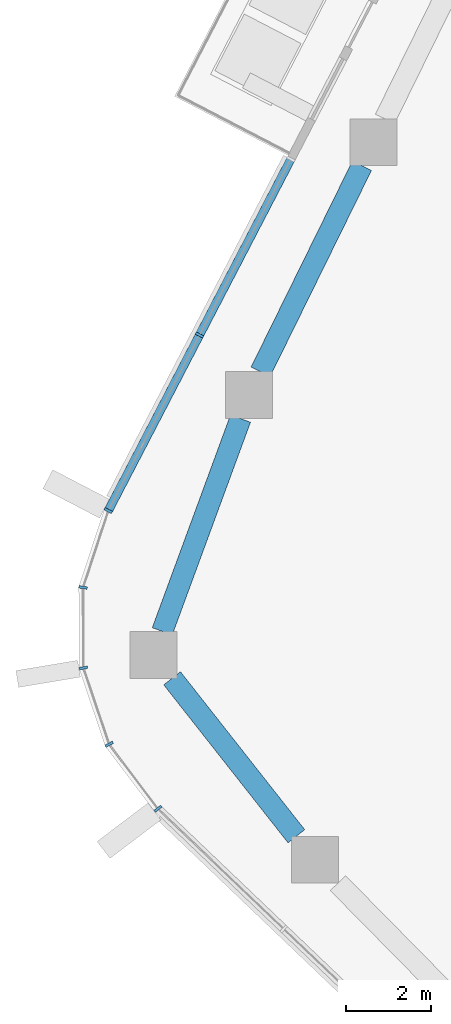
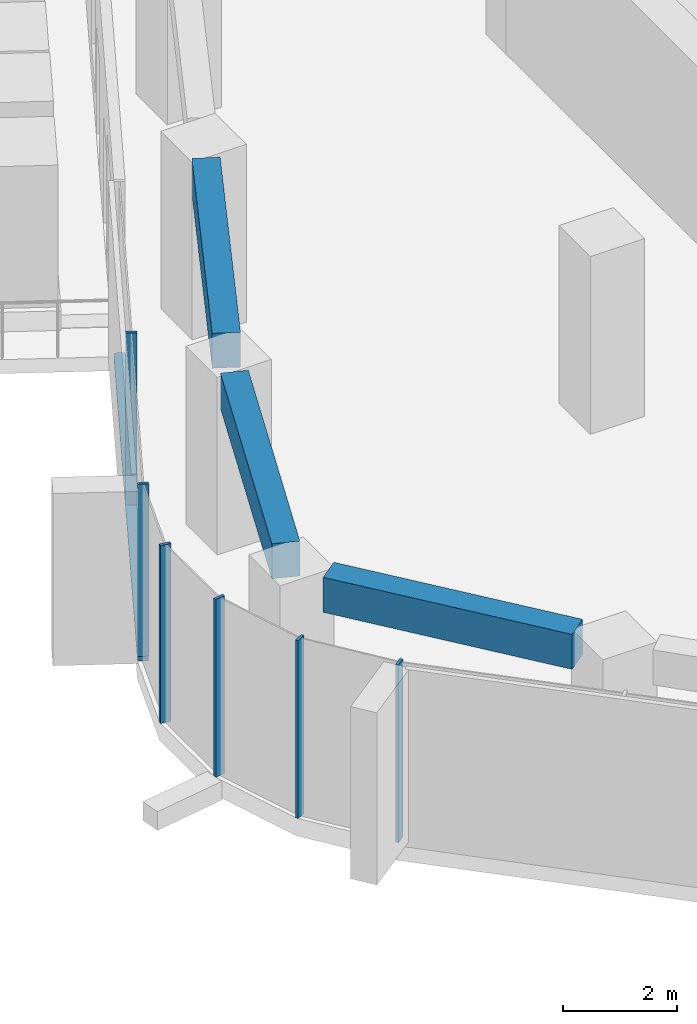
# One storey, part 4 of 21: 7 members, 3 beams, 2 elements without a shape of their own.
"""IFC4 building model written with IfcOpenShell, lengths in metres."""

from ifc_helpers import new_model, si_unit, direction, frame, origin, origin_2d, place, context, subcontext, project, spatial, rectangle, extrude, material, layer, layer_set, material_profile, profile_set, type_object, element, aggregate, save


model = new_model("IFC4")

# Units and contexts
model_context = context("Model", 3, precision=1e-05, world=origin(), true_north=direction((0.0, 1.0)))
body_context = subcontext(model_context, "Body", "Model", "MODEL_VIEW")
ifc_project = project(units=[si_unit("LENGTHUNIT", "METRE"), si_unit("AREAUNIT", "SQUARE_METRE"), si_unit("VOLUMEUNIT", "CUBIC_METRE"), si_unit("PLANEANGLEUNIT", "RADIAN"), si_unit("MASSUNIT", "GRAM", prefix="KILO")], contexts=[model_context])

# Site, building, storey
site_placement = place(None, origin())
site = spatial("IfcSite", under=ifc_project, at=site_placement, CompositionType="ELEMENT")
building_placement = place(site_placement, origin())
building = spatial("IfcBuilding", under=site, at=building_placement, Name="Dongbaek Canopy Tower", CompositionType="ELEMENT")
storey_placement = place(building_placement, frame((0.0, 0.0, 270.60009765625)))
storey = spatial("IfcBuildingStorey", under=building, at=storey_placement, Name="L57", CompositionType="ELEMENT", Elevation=270.60009765625)

# Curtain wall, members
ifc_material_1 = material(Name="Aluminium 6063-T6 pale anodised", Category="aluminium")
ifc_layer = layer(ifc_material_1, 0.199951171875)
ifc_layer_set = layer_set([ifc_layer], Name="CW-1 unitised tower curtain wall")
curtain_wall_type = type_object("IfcCurtainWallType", Name="CW-1 unitised tower curtain wall", PredefinedType="NOTDEFINED", material=ifc_layer_set)
curtain_wall_1_placement = place(storey_placement, origin())
curtain_wall_1 = element("IfcCurtainWall", 1, at=curtain_wall_1_placement, inside=storey, type_object=curtain_wall_type, Name="CW-1 curtain wall F2.1", PredefinedType="NOTDEFINED")
ifc_material_2 = material(Name="Aluminium 6063-T6 pale anodised", Category="aluminium")
ifc_material_profile_1 = material_profile(ifc_material_2, rectangle(XDim=0.199951171875, YDim=0.06005859375, at=origin_2d()), Name="CW-1 mullion 60 x 200")
ifc_profile_set_1 = profile_set([ifc_material_profile_1], Name="Aluminium 6063-T6 pale anodised")
member_type_1 = type_object("IfcMemberType", Name="CW-1 mullion 60 x 200", PredefinedType="MULLION", material=ifc_profile_set_1)
member_1_placement = place(storey_placement, frame((-26.705078125, 1.4873046875, 0.119873046875), z_axis=(0.0, 0.0, 1.0), x_axis=(-0.887462222541, 0.460880465591, 0.0)))
member_1 = element("IfcMember", 2, at=member_1_placement, type_object=member_type_1, Name="CW-1 mullion F2.1.2", PredefinedType="MULLION", context=body_context, shape_type="SweptSolid", body=[
    extrude(rectangle(XDim=0.199951171875, YDim=0.06005859375, at=origin_2d()), origin(), (0.0, 0.0, 1.0), 3.699951171875),
])
member_2_placement = place(storey_placement, frame((-28.845947265625, -2.635009765625, 0.119873046875), z_axis=(0.0, 0.0, 1.0), x_axis=(-0.887462222541, 0.460880465591, 0.0)))
member_2 = element("IfcMember", 3, at=member_2_placement, type_object=member_type_1, Name="CW-1 mullion F2.1.3", PredefinedType="MULLION", context=body_context, shape_type="SweptSolid", body=[
    extrude(rectangle(XDim=0.199951171875, YDim=0.06005859375, at=origin_2d()), origin(), (0.0, 0.0, 1.0), 3.699951171875),
])

curtain_wall_2_placement = place(storey_placement, origin())
curtain_wall_2 = element("IfcCurtainWall", 4, at=curtain_wall_2_placement, inside=storey, type_object=curtain_wall_type, Name="CW-1 curtain wall K3.1", PredefinedType="NOTDEFINED")
member_3_placement = place(storey_placement, frame((-29.439697265625, -4.4384765625, 0.0), z_axis=(0.0, 0.0, 1.0), x_axis=(-0.987688302002, 0.156434708705, 0.0)))
member_3 = element("IfcMember", 5, at=member_3_placement, type_object=member_type_1, Name="CW-1 mullion K3.1.2", PredefinedType="MULLION", context=body_context, shape_type="SweptSolid", body=[
    extrude(rectangle(XDim=0.199951171875, YDim=0.06005859375, at=origin_2d()), origin(), (0.0, 0.0, 1.0), 3.81982421875),
])
member_4_placement = place(storey_placement, frame((-29.432373046875, -6.3291015625, 0.0), z_axis=(0.0, 0.0, 1.0), x_axis=(-0.986446706915, -0.164081974685, 0.0)))
member_4 = element("IfcMember", 6, at=member_4_placement, type_object=member_type_1, Name="CW-1 mullion K3.1.3", PredefinedType="MULLION", context=body_context, shape_type="SweptSolid", body=[
    extrude(rectangle(XDim=0.199951171875, YDim=0.06005859375, at=origin_2d()), origin(), (0.0, 0.0, 1.0), 3.81982421875),
])
member_5_placement = place(storey_placement, frame((-28.8271484375, -8.120361328125, 0.0), z_axis=(0.0, 0.0, 1.0), x_axis=(-0.883864989428, -0.467742108927, 0.0)))
member_5 = element("IfcMember", 7, at=member_5_placement, type_object=member_type_1, Name="CW-1 mullion K3.1.4", PredefinedType="MULLION", context=body_context, shape_type="SweptSolid", body=[
    extrude(rectangle(XDim=0.199951171875, YDim=0.06005859375, at=origin_2d()), origin(), (0.0, 0.0, 1.0), 3.81982421875),
])
member_6_placement = place(storey_placement, frame((-27.681640625, -9.634521484375, 0.0), z_axis=(0.0, 0.0, 1.0), x_axis=(-0.797480818021, -0.603344300453, 0.0)))
member_6 = element("IfcMember", 8, at=member_6_placement, type_object=member_type_1, Name="CW-1 mullion K3.1.5", PredefinedType="MULLION", context=body_context, shape_type="SweptSolid", body=[
    extrude(rectangle(XDim=0.199951171875, YDim=0.06005859375, at=origin_2d()), origin(), (0.0, 0.0, 1.0), 3.81982421875),
])
aggregate(curtain_wall_2, [member_3, member_4, member_5, member_6])

# Member
ifc_material_3 = material(Name="Aluminium 6063-T6 pale anodised", Category="aluminium")
ifc_material_profile_2 = material_profile(ifc_material_3, rectangle(XDim=0.199951171875, YDim=0.1201171875, at=origin_2d()), Name="CW-1 transom 120 x 200")
ifc_profile_set_2 = profile_set([ifc_material_profile_2], Name="Aluminium 6063-T6 pale anodised")
member_type_2 = type_object("IfcMemberType", Name="CW-1 transom 120 x 200", PredefinedType="USERDEFINED", material=ifc_profile_set_2)
member_7_placement = place(storey_placement, frame((-24.560791015625, 5.616455078125, 0.059814453125), z_axis=(-0.460878110928, -0.88746344537, 0.0), x_axis=(0.88746344537, -0.460878110928, 0.0)))
member_7 = element("IfcMember", 9, at=member_7_placement, type_object=member_type_2, Name="CW-1 transom F2.1.1", ObjectType="TRANSOM", PredefinedType="USERDEFINED", context=body_context, shape_type="SweptSolid", body=[
    extrude(rectangle(XDim=0.199951171875, YDim=0.1201171875, at=origin_2d()), origin(), (0.0, 0.0, 1.0), 9.2978515625),
])

aggregate(curtain_wall_1, [member_1, member_2, member_7])

# Beams
ifc_material_4 = material(Name="Concrete C70", Category="concrete")
ifc_material_profile_3 = material_profile(ifc_material_4, rectangle(XDim=0.5, YDim=0.75, at=origin_2d()), Name="RC EDGE BEAM 500x750 C70")
ifc_profile_set_3 = profile_set([ifc_material_profile_3], Name="Concrete C70")
beam_type = type_object("IfcBeamType", Name="RC EDGE BEAM 500x750 C70", PredefinedType="BEAM", material=ifc_profile_set_3)
beam_1_placement = place(storey_placement, frame((-24.429931640625, -10.279052734375, 3.44482421875), z_axis=(-0.618474671525, 0.785804734449, 0.0), x_axis=(-0.785804734449, -0.618474671525, 0.0)))
element("IfcBeam", 10, at=beam_1_placement, inside=storey, type_object=beam_type, Name="EDGEBEAM:L57:07", PredefinedType="BEAM", context=body_context, shape_type="SweptSolid", body=[
    extrude(rectangle(XDim=0.5, YDim=0.75, at=origin_2d()), origin(), (0.0, 0.0, 1.0), 4.719970703125),
])
beam_2_placement = place(storey_placement, frame((-27.57958984375, -5.469970703125, 3.44482421875), z_axis=(0.345180317771, 0.938536386201, 0.0), x_axis=(-0.938536386201, 0.345180317771, 0.0)))
element("IfcBeam", 11, at=beam_2_placement, inside=storey, type_object=beam_type, Name="EDGEBEAM:L57:08", PredefinedType="BEAM", context=body_context, shape_type="SweptSolid", body=[
    extrude(rectangle(XDim=0.5, YDim=0.75, at=origin_2d()), origin(), (0.0, 0.0, 1.0), 5.322998046875),
])
beam_3_placement = place(storey_placement, frame((-25.26953125, 0.6259765625, 3.44482421875), z_axis=(0.44133161815, 0.897344082736, 0.0), x_axis=(-0.897344082736, 0.44133161815, 0.0)))
element("IfcBeam", 12, at=beam_3_placement, inside=storey, type_object=beam_type, Name="EDGEBEAM:L57:09", PredefinedType="BEAM", context=body_context, shape_type="SweptSolid", body=[
    extrude(rectangle(XDim=0.5, YDim=0.75, at=origin_2d()), origin(), (0.0, 0.0, 1.0), 5.38818359375),
])

save(model, "model.ifc")
